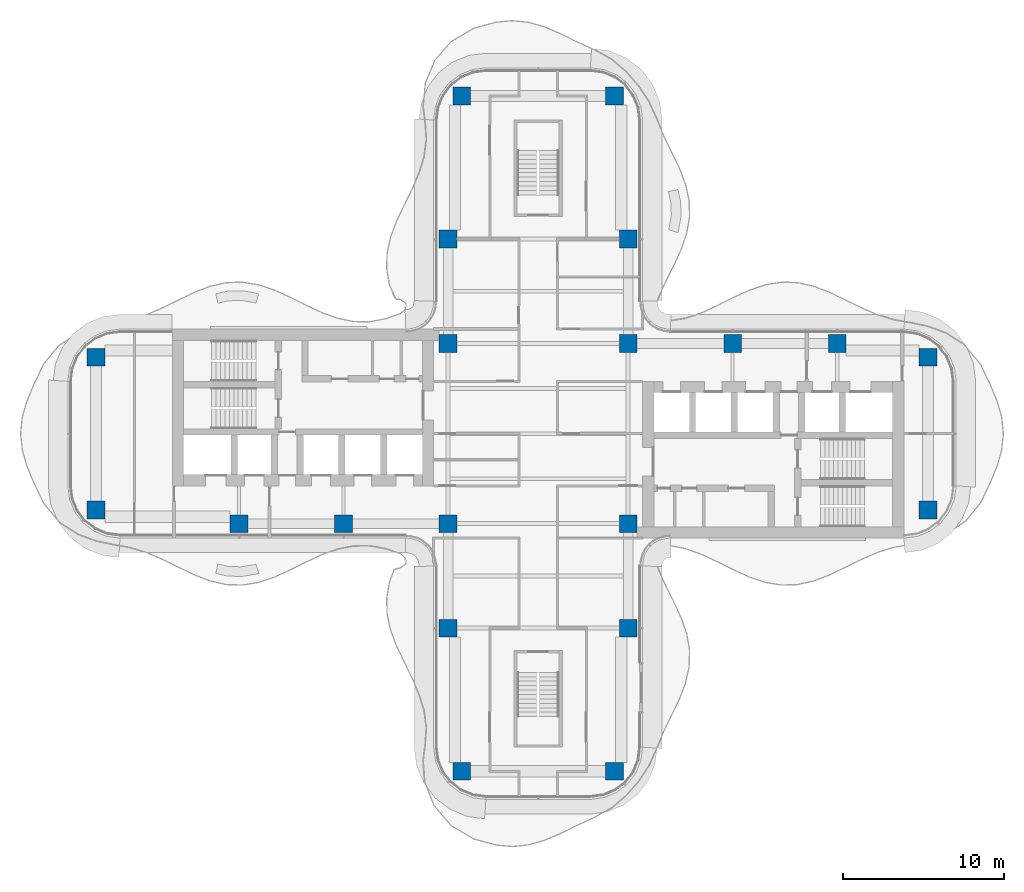
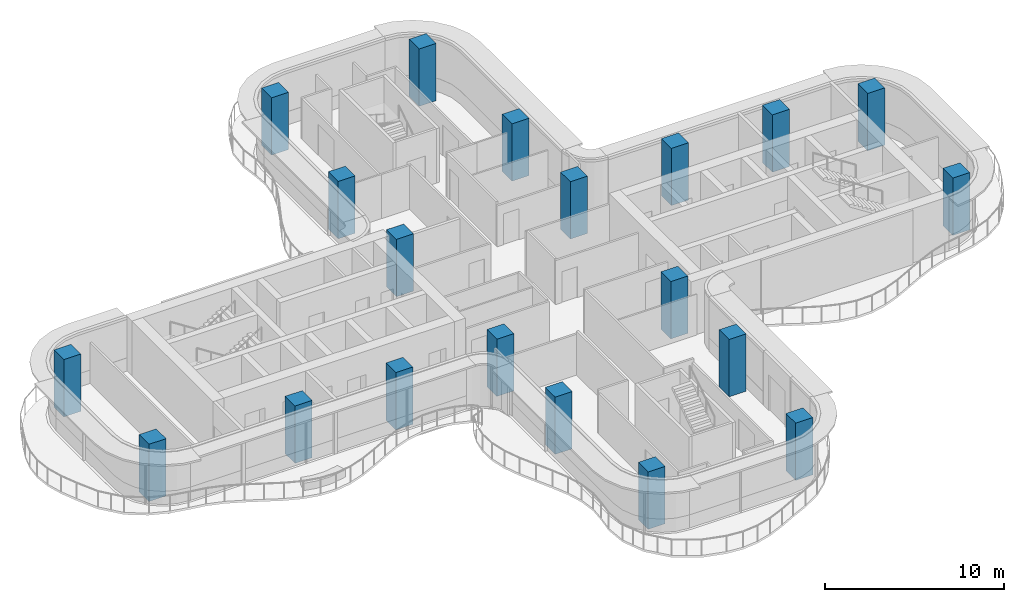
# One storey, part 1 of 16: 20 columns.
"""IFC4 building model written with IfcOpenShell, lengths in metres."""

import ifcopenshell
import ifcopenshell.guid

model = None  # the IFC model being written
_history = None  # IfcOwnerHistory: only IFC2X3 demands one
_inside = {}  # id of a spatial element -> (the spatial element, [elements in it])
_under = {}  # id of a project, library or spatial element -> (it, [spatial elements below it])
_declared = {}  # id of a project -> (the project, [libraries it declares])
_typed = {}  # id of a type object -> (the type object, [elements of that type])
_made_of = {}  # id of a material, layer set ... -> (it, [elements and type objects made of it])


def new_model(schema):
    """Start an empty IFC model of exactly this schema.

    Asked for "IFC4X3", IfcOpenShell would pick the latest addendum, in which some entities
    have other attributes; the version numbers below select the first issue.
    IFC2X3 requires an IfcOwnerHistory on every rooted entity: one is made here for all.
    """
    global model, _history
    if schema == "IFC4X3":
        model = ifcopenshell.file(schema_version=(4, 3, 0, 0))
    else:
        model = ifcopenshell.file(schema=schema)
    _inside.clear()
    _under.clear()
    _declared.clear()
    _typed.clear()
    _made_of.clear()
    _history = None
    if model.schema == "IFC2X3":
        org = make("IfcOrganization", Name="unknown")
        user = make(
            "IfcPersonAndOrganization",
            ThePerson=make("IfcPerson", FamilyName="unknown"),
            TheOrganization=org,
        )
        app = make(
            "IfcApplication",
            ApplicationDeveloper=org,
            Version="unknown",
            ApplicationFullName="unknown",
            ApplicationIdentifier="unknown",
        )
        _history = make(
            "IfcOwnerHistory",
            OwningUser=user,
            OwningApplication=app,
            ChangeAction="ADDED",
            CreationDate=0,
        )
    return model


def make(cls, **values):
    """One entity of the class cls with the attributes given. An attribute that is None is left unset."""
    return model.create_entity(
        cls, **{name: value for name, value in values.items() if value is not None}
    )


def rooted(cls, **values):
    """An entity with a GlobalId (a new one), such as an element, a storey or a relation."""
    return make(cls, GlobalId=ifcopenshell.guid.new(), OwnerHistory=_history, **values)


def si_unit(unit_type, name, prefix=None):
    """IfcSIUnit, for example si_unit("LENGTHUNIT", "METRE", prefix="MILLI")."""
    return make("IfcSIUnit", UnitType=unit_type, Prefix=prefix, Name=name)


def assignment(units):
    """IfcUnitAssignment: the units of a project."""
    return None if units is None else make("IfcUnitAssignment", Units=units)


def point(xyz):
    """IfcCartesianPoint."""
    return None if xyz is None else make("IfcCartesianPoint", Coordinates=xyz)


def direction(xyz):
    """IfcDirection."""
    return None if xyz is None else make("IfcDirection", DirectionRatios=xyz)


def frame(location, z_axis=None, x_axis=None):
    """IfcAxis2Placement3D, a coordinate frame: its origin and axes. An axis left out is left unset."""
    return make(
        "IfcAxis2Placement3D",
        Location=point(location),
        Axis=direction(z_axis),
        RefDirection=direction(x_axis),
    )


def frame_2d(location, x_axis=None):
    """IfcAxis2Placement2D, a coordinate frame in the plane: its origin and x axis."""
    return make(
        "IfcAxis2Placement2D", Location=point(location), RefDirection=direction(x_axis)
    )


def origin():
    """The frame at (0, 0, 0) with its axes left unset."""
    return frame((0.0, 0.0, 0.0))


def origin_2d():
    """The frame at (0, 0) in the plane with its x axis left unset."""
    return frame_2d((0.0, 0.0))


def place(relative_to, where):
    """IfcLocalPlacement: puts the frame where relative to a parent placement (None: the world)."""
    return make(
        "IfcLocalPlacement", PlacementRelTo=relative_to, RelativePlacement=where
    )


def context(
    kind, dimensions, precision=None, world=None, true_north=None, identifier=None
):
    """IfcGeometricRepresentationContext, for example the 3D "Model" context."""
    return make(
        "IfcGeometricRepresentationContext",
        ContextIdentifier=identifier,
        ContextType=kind,
        CoordinateSpaceDimension=dimensions,
        Precision=precision,
        WorldCoordinateSystem=world,
        TrueNorth=true_north,
    )


def subcontext(parent, identifier, kind, view, scale=None):
    """IfcGeometricRepresentationSubContext, for example "Body" below "Model"."""
    return make(
        "IfcGeometricRepresentationSubContext",
        ContextIdentifier=identifier,
        ContextType=kind,
        ParentContext=parent,
        TargetScale=scale,
        TargetView=view,
    )


def project(units=None, contexts=None):
    """IfcProject with its units and contexts."""
    return rooted(
        "IfcProject",
        Name="project",
        RepresentationContexts=contexts,
        UnitsInContext=assignment(units),
    )


def spatial(cls, under=None, at=None, **own):
    """A site, building, storey or space (cls), placed at a placement, below another one or the project."""
    s = rooted(cls, ObjectPlacement=at, **own)
    if under is not None:
        _under.setdefault(under.id(), (under, []))[1].append(s)
    return s


def profile(cls, at=None, kind="AREA", **sizes):
    """A parametric profile (cls). Its sizes go by their IFC names, for example OverallWidth=200.0."""
    return make(cls, ProfileType=kind, Position=at, **sizes)


def rectangle(**sizes):
    """IfcRectangleProfileDef."""
    return profile("IfcRectangleProfileDef", **sizes)


def extrude(swept, where, along, depth):
    """IfcExtrudedAreaSolid: the profile swept, set in the frame where, extruded along a direction by depth."""
    return make(
        "IfcExtrudedAreaSolid",
        SweptArea=swept,
        Position=where,
        ExtrudedDirection=direction(along),
        Depth=depth,
    )


def shape(context_of_items, identifier, shape_type, items):
    """IfcShapeRepresentation: the items that make up one representation, for example the "Body"."""
    return make(
        "IfcShapeRepresentation",
        ContextOfItems=context_of_items,
        RepresentationIdentifier=identifier,
        RepresentationType=shape_type,
        Items=items,
    )


def source(mapping_origin, context_of_items, identifier, shape_type, items):
    """IfcRepresentationMap: a shape defined once, which mapped items show again and again."""
    return make(
        "IfcRepresentationMap",
        MappingOrigin=mapping_origin,
        MappedRepresentation=shape(context_of_items, identifier, shape_type, items),
    )


def transform(
    local_origin,
    x_axis=None,
    y_axis=None,
    z_axis=None,
    scale=None,
    scale2=None,
    scale3=None,
    uniform=True,
):
    """IfcCartesianTransformationOperator3D, or its non-uniform kind. x_axis, y_axis, z_axis: its Axis1, 2, 3."""
    if uniform:
        return make(
            "IfcCartesianTransformationOperator3D",
            Axis1=direction(x_axis),
            Axis2=direction(y_axis),
            LocalOrigin=point(local_origin),
            Scale=scale,
            Axis3=direction(z_axis),
        )
    return make(
        "IfcCartesianTransformationOperator3DnonUniform",
        Axis1=direction(x_axis),
        Axis2=direction(y_axis),
        LocalOrigin=point(local_origin),
        Scale=scale,
        Axis3=direction(z_axis),
        Scale2=scale2,
        Scale3=scale3,
    )


def mapped(mapping_source, mapping_target):
    """IfcMappedItem: shows the shape of a source again, moved by a transform."""
    return make(
        "IfcMappedItem", MappingSource=mapping_source, MappingTarget=mapping_target
    )


def material(Name=None, Category=None):
    """IfcMaterial."""
    return make("IfcMaterial", Name=Name, Category=Category)


def material_profile(
    of_material, cross_section, Name=None, Category=None, Priority=None
):
    """IfcMaterialProfile: a cross section and its material."""
    return make(
        "IfcMaterialProfile",
        Name=Name,
        Material=of_material,
        Profile=cross_section,
        Priority=Priority,
        Category=Category,
    )


def profile_set(profiles, Name=None, composite=None):
    """IfcMaterialProfileSet."""
    return make(
        "IfcMaterialProfileSet",
        Name=Name,
        MaterialProfiles=profiles,
        CompositeProfile=composite,
    )


def made_of(thing, what):
    """Note that an element or type object is made of a material, layer set ...; save() writes the relation."""
    if what is not None:
        _made_of.setdefault(what.id(), (what, []))[1].append(thing)
    return thing


def type_object(cls, material=None, **own):
    """A type object (cls), such as IfcWallType, which elements share."""
    return made_of(rooted(cls, **own), material)


def element(
    cls,
    number,
    at=None,
    inside=None,
    cuts=None,
    type_object=None,
    material=None,
    context=None,
    identifier="Body",
    shape_type=None,
    held_by="IfcProductDefinitionShape",
    body=None,
    shapes=None,
    **own,
):
    """One element of the class cls, such as IfcWall. Its Tag is "e" and its number.

    at: its placement. inside: the storey or other place that contains it. cuts: it is an
    opening in that element (IfcRelVoidsElement). A single representation is given by context,
    identifier, shape_type and body (its items); several are given by shapes. held_by: the class
    of the entity that holds the representations. save() writes the other relations.
    """
    e = rooted(cls, Tag="e%d" % number, ObjectPlacement=at, **own)
    if body is not None:
        shapes = [shape(context, identifier, shape_type, body)]
    if shapes is not None:
        e.Representation = make(held_by, Representations=shapes)
    if inside is not None:
        _inside.setdefault(inside.id(), (inside, []))[1].append(e)
    if cuts is not None:
        rooted(
            "IfcRelVoidsElement", RelatingBuildingElement=cuts, RelatedOpeningElement=e
        )
    if type_object is not None:
        _typed.setdefault(type_object.id(), (type_object, []))[1].append(e)
    return made_of(e, material)


def aggregate(whole, parts):
    """IfcRelAggregates: a whole, such as a stair, and the parts it consists of."""
    return rooted("IfcRelAggregates", RelatingObject=whole, RelatedObjects=parts)


def save(model, path):
    """Write the relations noted so far, then the file.

    IfcRelAggregates (storeys below a building ...), IfcRelContainedInSpatialStructure (elements
    in a storey), IfcRelDefinesByType, IfcRelAssociatesMaterial and IfcRelDeclares: one each for
    every whole, place, type object, material and project.
    """
    for whole, parts in _under.values():
        aggregate(whole, parts)
    for where, things in _inside.values():
        rooted(
            "IfcRelContainedInSpatialStructure",
            RelatedElements=things,
            RelatingStructure=where,
        )
    for kind, things in _typed.values():
        rooted("IfcRelDefinesByType", RelatedObjects=things, RelatingType=kind)
    for what, things in _made_of.values():
        rooted("IfcRelAssociatesMaterial", RelatedObjects=things, RelatingMaterial=what)
    for by, libraries in _declared.values():
        rooted("IfcRelDeclares", RelatingContext=by, RelatedDefinitions=libraries)
    model.write(path)


model = new_model("IFC4")

# Units and contexts
model_context = context("Model", 3, precision=1e-05, world=origin(), true_north=direction((0.0, 1.0)))
body_context = subcontext(model_context, "Body", "Model", "MODEL_VIEW")
ifc_project = project(units=[si_unit("LENGTHUNIT", "METRE"), si_unit("AREAUNIT", "SQUARE_METRE"), si_unit("VOLUMEUNIT", "CUBIC_METRE"), si_unit("PLANEANGLEUNIT", "RADIAN"), si_unit("MASSUNIT", "GRAM", prefix="KILO")], contexts=[model_context])

# Site, building, storey
site_placement = place(None, origin())
site = spatial("IfcSite", under=ifc_project, at=site_placement, CompositionType="ELEMENT")
building_placement = place(site_placement, origin())
building = spatial("IfcBuilding", under=site, at=building_placement, Name="Trellis Farm Tower", CompositionType="ELEMENT")
storey_placement = place(building_placement, frame((0.0, 0.0, 251.89990234375)))
storey = spatial("IfcBuildingStorey", under=building, at=storey_placement, Name="L56", CompositionType="ELEMENT", Elevation=251.89990234375)

# Columns
ifc_material = material(Name="Concrete C60/75", Category="concrete")
ifc_material_profile = material_profile(ifc_material, rectangle(XDim=1.10009765625, YDim=1.10009765625, at=origin_2d()), Name="RC column 1100x1100 C60/75")
ifc_profile_set = profile_set([ifc_material_profile], Name="Concrete C60/75")
column_type = type_object("IfcColumnType", Name="RC column 1100x1100 C60/75", PredefinedType="COLUMN", material=ifc_profile_set)
shared_shape = source(origin(), body_context, "Body", "SweptSolid", [
    extrude(rectangle(XDim=1.10009765625, YDim=1.10009765625, at=origin_2d()), origin(), (0.0, 0.0, 1.0), 3.900146484375),
])
for number, where, z_axis, x_axis, name in (
    (1, (12.10009765625, 5.60009765625, 0.0), (0.0, 0.0, 1.0), (1.0, 0.0, 0.0), "Column"),
    (2, (18.60009765625, 5.60009765625, 0.0), (0.0, 0.0, 1.0), (1.0, 0.0, 0.0), "Column"),
    (3, (24.25, 4.75, 0.0), (0.0, 0.0, 1.0), (1.0, 0.0, 0.0), "Column"),
    (4, (24.25, -4.75, 0.0), (0.0, 0.0, 1.0), (1.0, 0.0, 0.0), "Column"),
    (5, (-5.60009765625, 12.10009765625, 0.0), (0.0, 0.0, 1.0), (1.0, 0.0, 0.0), "Column"),
    (6, (-4.75, 21.0, 0.0), (0.0, 0.0, 1.0), (1.0, 0.0, 0.0), "Column"),
    (7, (5.60009765625, 12.10009765625, 0.0), (0.0, 0.0, 1.0), (1.0, 0.0, 0.0), "Column"),
    (8, (4.75, 21.0, 0.0), (0.0, 0.0, 1.0), (1.0, 0.0, 0.0), "Column"),
    (9, (5.60009765625, 5.60009765625, 0.0), (0.0, 0.0, 1.0), (1.0, 0.0, 0.0), "Column"),
    (10, (-5.60009765625, 5.60009765625, 0.0), (0.0, 0.0, 1.0), (1.0, 0.0, 0.0), "Column"),
    (11, (5.60009765625, -5.60009765625, 0.0), (0.0, 0.0, 1.0), (1.0, 0.0, 0.0), "Column"),
    (12, (-5.60009765625, -5.60009765625, 0.0), (0.0, 0.0, 1.0), (1.0, 0.0, 0.0), "Column"),
    (13, (5.60009765625, -12.10009765625, 0.0), (0.0, 0.0, 1.0), (1.0, 0.0, 0.0), "Column"),
    (14, (4.75, -21.0, 0.0), (0.0, 0.0, 1.0), (1.0, 0.0, 0.0), "Column"),
    (15, (-5.60009765625, -12.10009765625, 0.0), (0.0, 0.0, 1.0), (1.0, 0.0, 0.0), "Column"),
    (16, (-4.75, -21.0, 0.0), (0.0, 0.0, 1.0), (1.0, 0.0, 0.0), "Column"),
    (17, (-12.10009765625, -5.60009765625, 0.0), (0.0, 0.0, 1.0), (1.0, 0.0, 0.0), "Column"),
    (18, (-18.60009765625, -5.60009765625, 0.0), (0.0, 0.0, 1.0), (1.0, 0.0, 0.0), "Column"),
    (19, (-27.5, -4.75, 0.0), (0.0, 0.0, 1.0), (1.0, 0.0, 0.0), "Column"),
    (20, (-27.5, 4.75, 0.0), (0.0, 0.0, 1.0), (1.0, 0.0, 0.0), "Column"),
):
    element("IfcColumn", number, at=place(storey_placement, frame(where, z_axis=z_axis, x_axis=x_axis)), inside=storey, type_object=column_type, Name=name, PredefinedType="COLUMN", context=body_context, shape_type="MappedRepresentation", body=[
        mapped(shared_shape, transform((0.0, 0.0, 0.0))),
    ])

save(model, "model.ifc")
